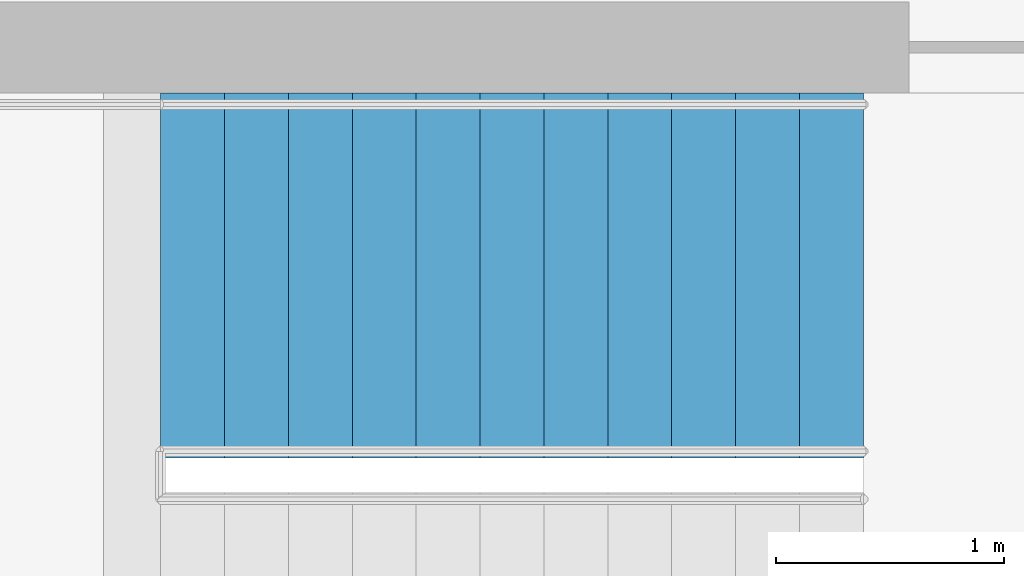
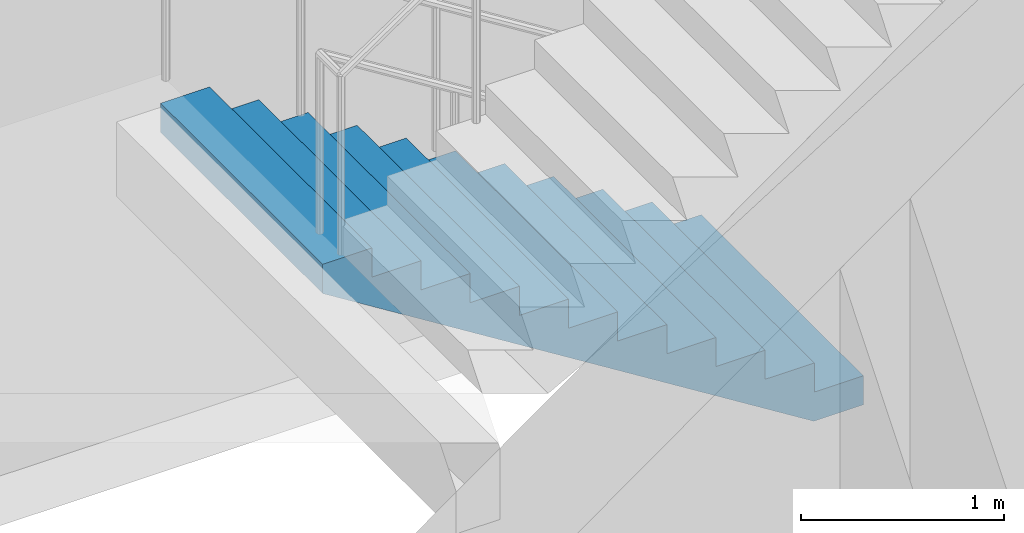
# One storey, part 15 of 20: 1 stair flight, 1 element without a shape of its own.
"""IFC4 building model written with IfcOpenShell, lengths in metres."""

from ifc_helpers import new_model, si_unit, direction, frame, origin, place, context, subcontext, project, spatial, polyline, outline, extrude, material, type_object, element, aggregate, save


model = new_model("IFC4")

# Units and contexts
model_context = context("Model", 3, precision=1e-05, world=origin(), true_north=direction((0.0, 1.0)))
body_context = subcontext(model_context, "Body", "Model", "MODEL_VIEW")
ifc_project = project(units=[si_unit("LENGTHUNIT", "METRE"), si_unit("AREAUNIT", "SQUARE_METRE"), si_unit("VOLUMEUNIT", "CUBIC_METRE"), si_unit("PLANEANGLEUNIT", "RADIAN"), si_unit("MASSUNIT", "GRAM", prefix="KILO")], contexts=[model_context])

# Site, building, storey
site_placement = place(None, origin())
site = spatial("IfcSite", under=ifc_project, at=site_placement, CompositionType="ELEMENT")
building_placement = place(site_placement, origin())
building = spatial("IfcBuilding", under=site, at=building_placement, Name="Cobogo Forest Laboratory Tower", CompositionType="ELEMENT")
storey_placement = place(building_placement, frame((0.0, 0.0, 254.39990234375)))
storey = spatial("IfcBuildingStorey", under=building, at=storey_placement, Name="L58", CompositionType="ELEMENT", Elevation=254.39990234375)

# Stair, stair flight
ifc_material = material(Name="Precast concrete HA-40 (C40/50)", Category="concrete")
stair_type = type_object("IfcStairType", Name="ST24 exit stair 24 risers", PredefinedType="HALF_TURN_STAIR", material=ifc_material)
stair_placement = place(storey_placement, origin())
stair = element("IfcStair", 1, at=stair_placement, inside=storey, type_object=stair_type, Name="Stair 2 L58 to L59", PredefinedType="HALF_TURN_STAIR")
stair_flight_type = type_object("IfcStairFlightType", Name="ST stair flight 280 going", PredefinedType="STRAIGHT", material=ifc_material)
stair_flight_placement = place(storey_placement, frame((37.47509765625, 25.699951171875, 0.0), z_axis=(0.0, 0.0, 1.0), x_axis=(-1.0, 0.0, 0.0)))
stair_flight = element("IfcStairFlight", 2, at=stair_flight_placement, type_object=stair_flight_type, Name="ST2 flight 1", NumberOfRisers=12, NumberOfTreads=11, PredefinedType="STRAIGHT", RiserHeight=0.175, TreadLength=0.28, context=body_context, shape_type="SweptSolid", body=[
    extrude(outline(polyline([(0.0, 0.0), (0.0, 0.175048828125), (0.280029296875, 0.175048828125), (0.280029296875, 0.35009765625), (0.56005859375, 0.35009765625), (0.56005859375, 0.52490234375), (0.840087890625, 0.52490234375), (0.840087890625, 0.699951171875), (1.1201171875, 0.699951171875), (1.1201171875, 0.875), (1.39990234375, 0.875), (1.39990234375, 1.050048828125), (1.679931640625, 1.050048828125), (1.679931640625, 1.22509765625), (1.9599609375, 1.22509765625), (1.9599609375, 1.39990234375), (2.239990234375, 1.39990234375), (2.239990234375, 1.574951171875), (2.52001953125, 1.574951171875), (2.52001953125, 1.75), (2.800048828125, 1.75), (2.800048828125, 1.925048828125), (3.080078125, 1.925048828125), (3.080078125, 2.10009765625), (3.080078125, 1.748291015625), (0.28271484375, 0.0), (0.0, 0.0)])), frame((0.0, 0.800048828125, 0.0), z_axis=(0.0, -1.0, 0.0), x_axis=(1.0, 0.0, 0.0)), (0.0, 0.0, 1.0), 1.60009765625),
])
aggregate(stair, [stair_flight])

save(model, "model.ifc")
